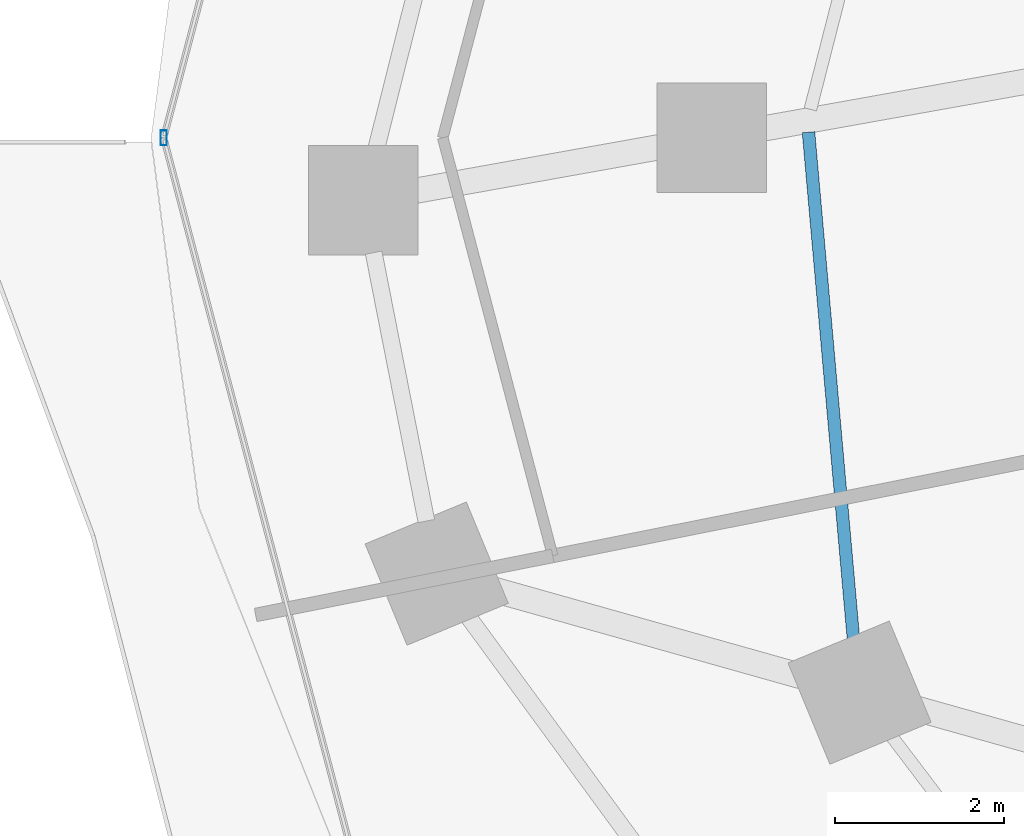
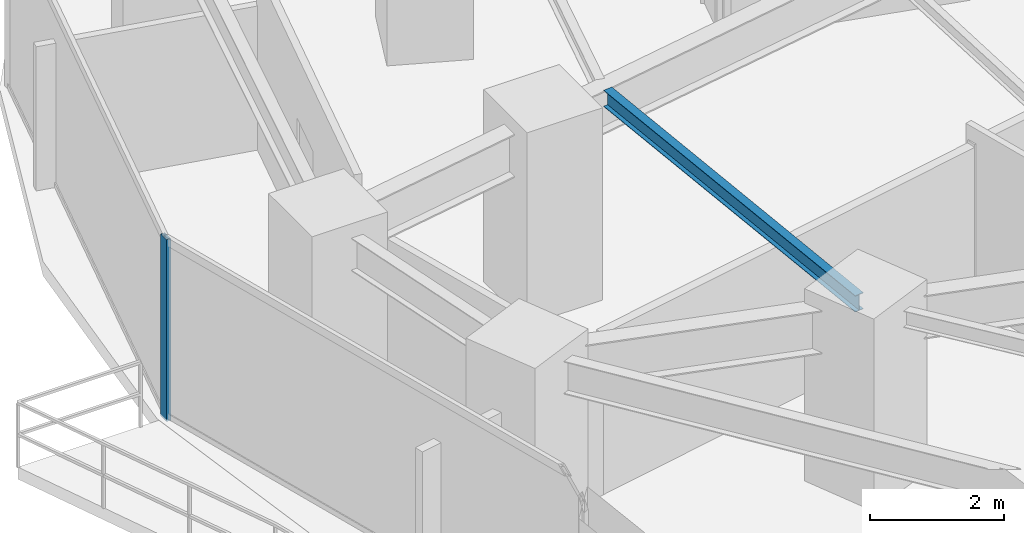
# One storey, part 7 of 33: 1 beam, 1 member, 1 element without a shape of its own.
"""IFC4 building model written with IfcOpenShell, lengths in metres."""

from ifc_helpers import new_model, si_unit, direction, frame, origin, origin_2d, place, context, subcontext, project, spatial, hollow_rectangle, i_section, extrude, material, material_profile, profile_set, type_object, element, aggregate, save


model = new_model("IFC4")

# Units and contexts
model_context = context("Model", 3, precision=1e-05, world=origin(), true_north=direction((0.0, 1.0)))
body_context = subcontext(model_context, "Body", "Model", "MODEL_VIEW")
ifc_project = project(units=[si_unit("LENGTHUNIT", "METRE"), si_unit("AREAUNIT", "SQUARE_METRE"), si_unit("VOLUMEUNIT", "CUBIC_METRE"), si_unit("PLANEANGLEUNIT", "RADIAN"), si_unit("MASSUNIT", "GRAM", prefix="KILO")], contexts=[model_context])

# Site, building, storey
site_placement = place(None, origin())
site = spatial("IfcSite", under=ifc_project, at=site_placement, CompositionType="ELEMENT")
building_placement = place(site_placement, origin())
building = spatial("IfcBuilding", under=site, at=building_placement, Name="Vorneva Point Tower", CompositionType="ELEMENT")
storey_placement = place(building_placement, frame((0.0, 0.0, 38.0)))
storey = spatial("IfcBuildingStorey", under=building, at=storey_placement, Name="L09", CompositionType="ELEMENT", Elevation=38.0)

# Beam
ifc_material_1 = material(Name="Steel S355", Category="steel")
ifc_material_profile_1 = material_profile(ifc_material_1, i_section(OverallWidth=0.14892578125, OverallDepth=0.298095703125, WebThickness=0.005615234375, FlangeThickness=0.008056640625, at=origin_2d()), Name="30B1")
ifc_profile_set_1 = profile_set([ifc_material_profile_1], Name="Steel S355")
beam_type = type_object("IfcBeamType", Name="BM-JST-30B1", PredefinedType="JOIST", material=ifc_profile_set_1)
beam_placement = place(storey_placement, frame((16.098876953125, 26.06591796875, 3.091064453125), z_axis=(0.088398866628, -0.996085157192, 0.0), x_axis=(0.996085157192, 0.088398866628, 0.0)))
element("IfcBeam", 1, at=beam_placement, inside=storey, type_object=beam_type, Name="L09 Secondary Floor Beam 1.09", PredefinedType="JOIST", context=body_context, shape_type="SweptSolid", body=[
    extrude(i_section(OverallWidth=0.14892578125, OverallDepth=0.298095703125, WebThickness=0.005615234375, FlangeThickness=0.008056640625, at=origin_2d()), origin(), (0.0, 0.0, 1.0), 6.53173828125),
])

# Curtain wall, member
ifc_material_2 = material(Name="Pale anodised aluminium", Category="aluminium")
curtain_wall_type = type_object("IfcCurtainWallType", Name="CW-HTL-SYS", PredefinedType="NOTDEFINED", material=ifc_material_2)
curtain_wall_placement = place(storey_placement, origin())
curtain_wall = element("IfcCurtainWall", 2, at=curtain_wall_placement, inside=storey, type_object=curtain_wall_type, Name="L09 Unitised Curtain Wall CW-L09-R03", PredefinedType="NOTDEFINED")
ifc_material_profile_2 = material_profile(ifc_material_2, hollow_rectangle(XDim=0.074951171875, YDim=0.179931640625, WallThickness=0.00390625, at=origin_2d()), Name="AL-MUL 180x75x4")
ifc_profile_set_2 = profile_set([ifc_material_profile_2], Name="Pale anodised aluminium")
member_type = type_object("IfcMemberType", Name="CW-MUL-180", PredefinedType="MULLION", material=ifc_profile_set_2)
member_placement = place(storey_placement, frame((8.449951171875, 26.0, -0.0400390625), z_axis=(0.0, 0.0, 1.0), x_axis=(1.0, 0.0, 0.0)))
member = element("IfcMember", 3, at=member_placement, type_object=member_type, Name="CW-L09-R03 Mullion 03", PredefinedType="MULLION", context=body_context, shape_type="SweptSolid", body=[
    extrude(hollow_rectangle(XDim=0.074951171875, YDim=0.179931640625, WallThickness=0.00390625, at=origin_2d()), origin(), (0.0, 0.0, 1.0), 3.31005859375),
])
aggregate(curtain_wall, [member])

save(model, "model.ifc")
